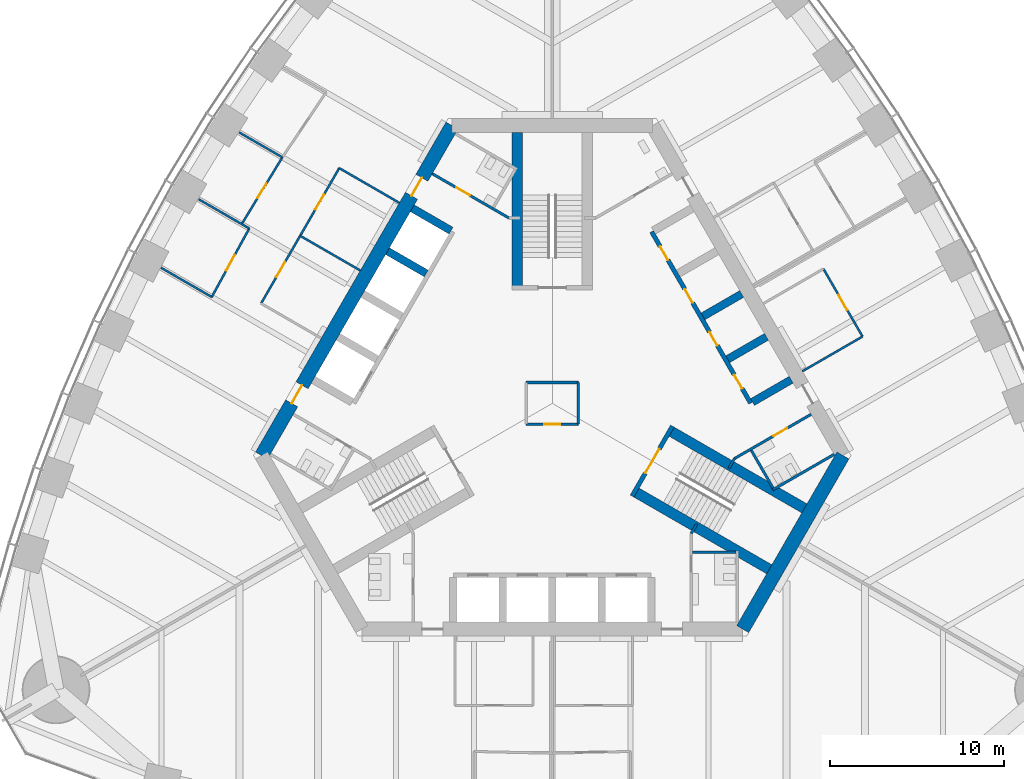
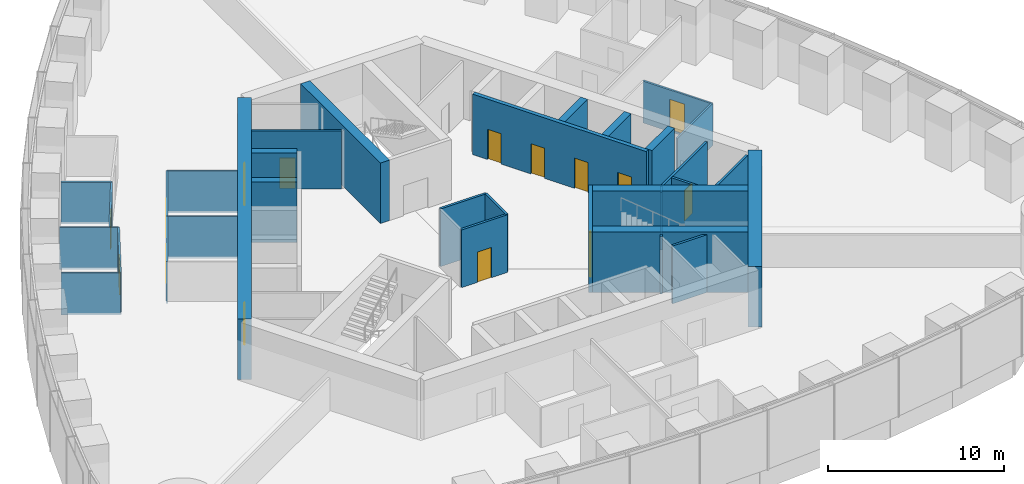
# One storey, part 12 of 18: 33 walls, 15 doors, 15 openings.
"""IFC4 building model written with IfcOpenShell, lengths in metres."""

from ifc_helpers import new_model, si_unit, direction, frame, frame_2d, origin, place, context, subcontext, project, spatial, rectangle, extrude, material, layer, layer_set, type_object, element, fill, save


model = new_model("IFC4")

# Units and contexts
model_context = context("Model", 3, precision=1e-05, world=origin(), true_north=direction((0.0, 1.0)))
body_context = subcontext(model_context, "Body", "Model", "MODEL_VIEW")
ifc_project = project(units=[si_unit("LENGTHUNIT", "METRE"), si_unit("AREAUNIT", "SQUARE_METRE"), si_unit("VOLUMEUNIT", "CUBIC_METRE"), si_unit("PLANEANGLEUNIT", "RADIAN"), si_unit("MASSUNIT", "GRAM", prefix="KILO")], contexts=[model_context])

# Site, building, storey
site_placement = place(None, origin())
site = spatial("IfcSite", under=ifc_project, at=site_placement, CompositionType="ELEMENT")
building_placement = place(site_placement, origin())
building = spatial("IfcBuilding", under=site, at=building_placement, Name="Trefoil Bronze Tower", CompositionType="ELEMENT")
storey_placement = place(building_placement, frame((0.0, 0.0, 202.300048828125)))
storey = spatial("IfcBuildingStorey", under=building, at=storey_placement, Name="L46", CompositionType="ELEMENT", Elevation=202.300048828125)

# Wall
ifc_material_1 = material(Name="Concrete B80", Category="concrete")
ifc_layer_1 = layer(ifc_material_1, 0.800048828125)
ifc_layer_set_1 = layer_set([ifc_layer_1], Name="Core wall 800")
wall_type_1 = type_object("IfcWallType", Name="Core wall 800", PredefinedType="SHEAR", material=ifc_layer_set_1)
wall_1_placement = place(storey_placement, frame((10.9697265625, -13.0, 0.0), z_axis=(0.0, 0.0, 1.0), x_axis=(0.499995765644, 0.866027848477, 0.0)))
element("IfcWall", 1, at=wall_1_placement, inside=storey, type_object=wall_type_1, Name="Core short wall 1 L46", PredefinedType="SHEAR", context=body_context, shape_type="SweptSolid", body=[
    extrude(rectangle(XDim=11.546875, YDim=0.800048828125, at=frame_2d((5.7734375, 0.0))), origin(), (0.0, 0.0, 1.0), 4.199951171875),
])

# Wall, openings, doors
wall_2_placement = place(storey_placement, frame((-5.7734375, 16.0, 0.0), z_axis=(0.0, 0.0, 1.0), x_axis=(-0.500002442456, -0.866023993627, 0.0)))
wall_2 = element("IfcWall", 2, at=wall_2_placement, inside=storey, type_object=wall_type_1, Name="Core long wall 3 L46", PredefinedType="SHEAR", context=body_context, shape_type="SweptSolid", body=[
    extrude(rectangle(XDim=21.939453125, YDim=0.800048828125, at=frame_2d((10.9697265625, 0.0))), origin(), (0.0, 0.0, 1.0), 4.199951171875),
])
opening_1_placement = place(wall_2_placement, frame((17.269775390625, 0.0, 0.0)))
opening_1 = element("IfcOpeningElement", 3, at=opening_1_placement, cuts=wall_2, Name="Opening D2", PredefinedType="OPENING", context=body_context, shape_type="SweptSolid", body=[
    extrude(rectangle(XDim=1.199951171875, YDim=2.10009765625, at=frame_2d((0.60009765625, 1.050048828125))), frame((0.0, 0.409912109375, 0.0), z_axis=(0.0, -1.0, 0.0), x_axis=(1.0, 0.0, 0.0)), (0.0, 0.0, 1.0), 0.820068359375),
])
opening_2_placement = place(wall_2_placement, frame((3.4697265625, 0.0, 0.0)))
opening_2 = element("IfcOpeningElement", 4, at=opening_2_placement, cuts=wall_2, Name="Opening D2", PredefinedType="OPENING", context=body_context, shape_type="SweptSolid", body=[
    extrude(rectangle(XDim=1.199951171875, YDim=2.10009765625, at=frame_2d((0.60009765625, 1.050048828125))), frame((0.0, 0.409912109375, 0.0), z_axis=(0.0, -1.0, 0.0), x_axis=(1.0, 0.0, 0.0)), (0.0, 0.0, 1.0), 0.820068359375),
])
ifc_material_2 = material(Name="Steel door", Category="steel")
door_type_1 = type_object("IfcDoorType", Name="Lobby door 1200", OperationType="SINGLE_SWING_RIGHT", PredefinedType="DOOR", material=ifc_material_2)
door_1_placement = place(opening_1_placement, origin())
door_1 = element("IfcDoor", 5, at=door_1_placement, inside=storey, type_object=door_type_1, Name="Lobby door F3+ L46", OperationType="SINGLE_SWING_RIGHT", OverallHeight=2.10009765625, OverallWidth=1.199951171875, PredefinedType="DOOR", context=body_context, shape_type="SweptSolid", body=[
    extrude(rectangle(XDim=1.199951171875, YDim=2.10009765625, at=frame_2d((0.60009765625, 1.050048828125))), frame((0.0, 0.02490234375, 0.0), z_axis=(0.0, -1.0, 0.0), x_axis=(1.0, 0.0, 0.0)), (0.0, 0.0, 1.0), 0.050048828125),
])
fill(opening_1, door_1)
door_2_placement = place(opening_2_placement, origin())
door_2 = element("IfcDoor", 6, at=door_2_placement, inside=storey, type_object=door_type_1, Name="Lobby door F3- L46", OperationType="SINGLE_SWING_LEFT", OverallHeight=2.10009765625, OverallWidth=1.199951171875, PredefinedType="DOOR", context=body_context, shape_type="SweptSolid", body=[
    extrude(rectangle(XDim=1.199951171875, YDim=2.10009765625, at=frame_2d((0.60009765625, 1.050048828125))), frame((0.0, 0.02490234375, 0.0), z_axis=(0.0, -1.0, 0.0), x_axis=(1.0, 0.0, 0.0)), (0.0, 0.0, 1.0), 0.050048828125),
])
fill(opening_2, door_2)

# Wall, opening, door
ifc_material_3 = material(Name="Glazed partition", Category="glass")
ifc_layer_2 = layer(ifc_material_3, 0.1201171875)
ifc_layer_set_2 = layer_set([ifc_layer_2], Name="Glazed partition 120")
wall_type_2 = type_object("IfcWallType", Name="Glazed partition 120", PredefinedType="PARTITIONING", material=ifc_layer_set_2)
wall_3_placement = place(storey_placement, frame((17.868896484375, 3.850341796875, 0.0), z_axis=(0.0, 0.0, 1.0), x_axis=(-0.500013631625, 0.866017533419, 0.0)))
wall_3 = element("IfcWall", 7, at=wall_3_placement, inside=storey, type_object=wall_type_2, Name="Partition F2 L46", PredefinedType="PARTITIONING", context=body_context, shape_type="SweptSolid", body=[
    extrude(rectangle(XDim=4.499755859375, YDim=0.1201171875, at=frame_2d((2.25, 0.0))), origin(), (0.0, 0.0, 1.0), 2.89990234375),
])
opening_3_placement = place(wall_3_placement, frame((1.75, 0.0, 0.14990234375)))
opening_3 = element("IfcOpeningElement", 8, at=opening_3_placement, cuts=wall_3, Name="Opening D9", PredefinedType="OPENING", context=body_context, shape_type="SweptSolid", body=[
    extrude(rectangle(XDim=1.0, YDim=2.10009765625, at=frame_2d((0.5, 1.050048828125))), frame((0.0, 0.070068359375, 0.0), z_axis=(0.0, -1.0, 0.0), x_axis=(1.0, 0.0, 0.0)), (0.0, 0.0, 1.0), 0.14013671875),
])
ifc_material_4 = material(Name="Glazed timber door", Category="wood")
door_type_2 = type_object("IfcDoorType", Name="Meeting room door 1000", OperationType="SINGLE_SWING_LEFT", PredefinedType="DOOR", material=ifc_material_4)
door_3_placement = place(opening_3_placement, origin())
door_3 = element("IfcDoor", 9, at=door_3_placement, inside=storey, type_object=door_type_2, Name="Project room door F2 L46", OperationType="SINGLE_SWING_RIGHT", OverallHeight=2.10009765625, OverallWidth=1.0, PredefinedType="DOOR", context=body_context, shape_type="SweptSolid", body=[
    extrude(rectangle(XDim=1.0, YDim=2.10009765625, at=frame_2d((0.5, 1.050048828125))), frame((0.0, 0.02490234375, 0.0), z_axis=(0.0, -1.0, 0.0), x_axis=(1.0, 0.0, 0.0)), (0.0, 0.0, 1.0), 0.050048828125),
])
fill(opening_3, door_3)

# Wall
wall_4_placement = place(storey_placement, frame((14.40478515625, 1.850341796875, 0.0), z_axis=(0.0, 0.0, 1.0), x_axis=(0.866026010844, 0.49999894854, 0.0)))
element("IfcWall", 10, at=wall_4_placement, inside=storey, type_object=wall_type_2, Name="Partition F2 L46", PredefinedType="PARTITIONING", context=body_context, shape_type="SweptSolid", body=[
    extrude(rectangle(XDim=4.0, YDim=0.1201171875, at=frame_2d((2.0, 0.0))), origin(), (0.0, 0.0, 1.0), 2.89990234375),
])

# Wall, opening, door
wall_5_placement = place(storey_placement, frame((-14.518798828125, 9.652587890625, 0.0), z_axis=(0.0, 0.0, 1.0), x_axis=(-0.500013631625, -0.866017533419, 0.0)))
wall_5 = element("IfcWall", 11, at=wall_5_placement, inside=storey, type_object=wall_type_2, Name="Partition F3 L46", PredefinedType="PARTITIONING", context=body_context, shape_type="SweptSolid", body=[
    extrude(rectangle(XDim=4.499755859375, YDim=0.1201171875, at=frame_2d((2.25, 0.0))), origin(), (0.0, 0.0, 1.0), 2.89990234375),
])
opening_4_placement = place(wall_5_placement, frame((1.75, 0.0, 0.14990234375)))
opening_4 = element("IfcOpeningElement", 12, at=opening_4_placement, cuts=wall_5, Name="Opening D9", PredefinedType="OPENING", context=body_context, shape_type="SweptSolid", body=[
    extrude(rectangle(XDim=1.0, YDim=2.10009765625, at=frame_2d((0.5, 1.050048828125))), frame((0.0, 0.070068359375, 0.0), z_axis=(0.0, -1.0, 0.0), x_axis=(1.0, 0.0, 0.0)), (0.0, 0.0, 1.0), 0.14013671875),
])
door_4_placement = place(opening_4_placement, origin())
door_4 = element("IfcDoor", 13, at=door_4_placement, inside=storey, type_object=door_type_2, Name="Project room door F3 L46", OperationType="SINGLE_SWING_RIGHT", OverallHeight=2.10009765625, OverallWidth=1.0, PredefinedType="DOOR", context=body_context, shape_type="SweptSolid", body=[
    extrude(rectangle(XDim=1.0, YDim=2.10009765625, at=frame_2d((0.5, 1.050048828125))), frame((0.0, 0.02490234375, 0.0), z_axis=(0.0, -1.0, 0.0), x_axis=(1.0, 0.0, 0.0)), (0.0, 0.0, 1.0), 0.050048828125),
])
fill(opening_4, door_4)

wall_6_placement = place(storey_placement, frame((-12.268798828125, 13.5498046875, 0.0), z_axis=(0.0, 0.0, 1.0), x_axis=(-0.499990139034, -0.866031096941, 0.0)))
wall_6 = element("IfcWall", 14, at=wall_6_placement, inside=storey, type_object=wall_type_2, Name="Partition F3 L46", PredefinedType="PARTITIONING", context=body_context, shape_type="SweptSolid", body=[
    extrude(rectangle(XDim=4.5, YDim=0.1201171875, at=frame_2d((2.25, 0.0))), origin(), (0.0, 0.0, 1.0), 2.89990234375),
])
opening_5_placement = place(wall_6_placement, frame((1.75, 0.0, 0.14990234375)))
opening_5 = element("IfcOpeningElement", 15, at=opening_5_placement, cuts=wall_6, Name="Opening D9", PredefinedType="OPENING", context=body_context, shape_type="SweptSolid", body=[
    extrude(rectangle(XDim=1.0, YDim=2.10009765625, at=frame_2d((0.5, 1.050048828125))), frame((0.0, 0.070068359375, 0.0), z_axis=(0.0, -1.0, 0.0), x_axis=(1.0, 0.0, 0.0)), (0.0, 0.0, 1.0), 0.14013671875),
])
door_5_placement = place(opening_5_placement, origin())
door_5 = element("IfcDoor", 16, at=door_5_placement, inside=storey, type_object=door_type_2, Name="Project room door F3 L46", OperationType="SINGLE_SWING_RIGHT", OverallHeight=2.10009765625, OverallWidth=1.0, PredefinedType="DOOR", context=body_context, shape_type="SweptSolid", body=[
    extrude(rectangle(XDim=1.0, YDim=2.10009765625, at=frame_2d((0.5, 1.050048828125))), frame((0.0, 0.02490234375, 0.0), z_axis=(0.0, -1.0, 0.0), x_axis=(1.0, 0.0, 0.0)), (0.0, 0.0, 1.0), 0.050048828125),
])
fill(opening_5, door_5)

# Walls
for number, where, z_axis, x_axis, name in (
    (17, (-11.0546875, 7.652587890625, 0.0), (0.0, 0.0, 1.0), (-0.866026010844, 0.49999894854, 0.0), "Partition F3 L46"),
    (18, (-8.8046875, 11.5498046875, 0.0), (0.0, 0.0, 1.0), (-0.866026010844, 0.49999894854, 0.0), "Partition F3 L46"),
):
    element("IfcWall", number, at=place(storey_placement, frame(where, z_axis=z_axis, x_axis=x_axis)), inside=storey, type_object=wall_type_2, Name=name, PredefinedType="PARTITIONING", context=body_context, shape_type="SweptSolid", body=[
        extrude(rectangle(XDim=4.0, YDim=0.1201171875, at=frame_2d((2.0, 0.0))), origin(), (0.0, 0.0, 1.0), 2.89990234375),
    ])

# Wall, opening, door
wall_7_placement = place(storey_placement, frame((-17.450927734375, 10.075439453125, 0.0), z_axis=(0.0, 0.0, 1.0), x_axis=(-0.479949984371, -0.877295852322, 0.0)))
wall_7 = element("IfcWall", 19, at=wall_7_placement, inside=storey, type_object=wall_type_2, Name="Partition F3 L46", PredefinedType="PARTITIONING", context=body_context, shape_type="SweptSolid", body=[
    extrude(rectangle(XDim=4.501220703125, YDim=0.1201171875, at=frame_2d((2.25048828125, 0.0))), origin(), (0.0, 0.0, 1.0), 2.89990234375),
])
opening_6_placement = place(wall_7_placement, frame((1.75, 0.0, 0.14990234375)))
opening_6 = element("IfcOpeningElement", 20, at=opening_6_placement, cuts=wall_7, Name="Opening D9", PredefinedType="OPENING", context=body_context, shape_type="SweptSolid", body=[
    extrude(rectangle(XDim=1.0, YDim=2.10009765625, at=frame_2d((0.5, 1.050048828125))), frame((0.0, 0.070068359375, 0.0), z_axis=(0.0, -1.0, 0.0), x_axis=(1.0, 0.0, 0.0)), (0.0, 0.0, 1.0), 0.14013671875),
])
door_6_placement = place(opening_6_placement, frame((1.0, 0.0, 0.0), z_axis=(0.0, 0.0, 1.0), x_axis=(-1.0, 0.0, 0.0)))
door_6 = element("IfcDoor", 21, at=door_6_placement, inside=storey, type_object=door_type_2, Name="Meeting room door F3 L46", OperationType="SINGLE_SWING_RIGHT", OverallHeight=2.10009765625, OverallWidth=1.0, PredefinedType="DOOR", context=body_context, shape_type="SweptSolid", body=[
    extrude(rectangle(XDim=1.0, YDim=2.10009765625, at=frame_2d((0.5, 1.050048828125))), frame((0.0, 0.02490234375, 0.0), z_axis=(0.0, -1.0, 0.0), x_axis=(1.0, 0.0, 0.0)), (0.0, 0.0, 1.0), 0.050048828125),
])
fill(opening_6, door_6)

wall_8_placement = place(storey_placement, frame((-15.54443359375, 14.170654296875, 0.0), z_axis=(0.0, 0.0, 1.0), x_axis=(-0.519790350351, -0.85429385558, 0.0)))
wall_8 = element("IfcWall", 22, at=wall_8_placement, inside=storey, type_object=wall_type_2, Name="Partition F3 L46", PredefinedType="PARTITIONING", context=body_context, shape_type="SweptSolid", body=[
    extrude(rectangle(XDim=4.5009765625, YDim=0.1201171875, at=frame_2d((2.25048828125, 0.0))), origin(), (0.0, 0.0, 1.0), 2.89990234375),
])
opening_7_placement = place(wall_8_placement, frame((1.75, 0.0, 0.14990234375)))
opening_7 = element("IfcOpeningElement", 23, at=opening_7_placement, cuts=wall_8, Name="Opening D9", PredefinedType="OPENING", context=body_context, shape_type="SweptSolid", body=[
    extrude(rectangle(XDim=1.0, YDim=2.10009765625, at=frame_2d((0.5, 1.050048828125))), frame((0.0, 0.070068359375, 0.0), z_axis=(0.0, -1.0, 0.0), x_axis=(1.0, 0.0, 0.0)), (0.0, 0.0, 1.0), 0.14013671875),
])
door_7_placement = place(opening_7_placement, frame((1.0, 0.0, 0.0), z_axis=(0.0, 0.0, 1.0), x_axis=(-1.0, 0.0, 0.0)))
door_7 = element("IfcDoor", 24, at=door_7_placement, inside=storey, type_object=door_type_2, Name="Project room door F3 L46", OperationType="SINGLE_SWING_RIGHT", OverallHeight=2.10009765625, OverallWidth=1.0, PredefinedType="DOOR", context=body_context, shape_type="SweptSolid", body=[
    extrude(rectangle(XDim=1.0, YDim=2.10009765625, at=frame_2d((0.5, 1.050048828125))), frame((0.0, 0.02490234375, 0.0), z_axis=(0.0, -1.0, 0.0), x_axis=(1.0, 0.0, 0.0)), (0.0, 0.0, 1.0), 0.050048828125),
])
fill(opening_7, door_7)

# Walls
wall_9_placement = place(storey_placement, frame((-17.450927734375, 10.075439453125, 0.0), z_axis=(0.0, 0.0, 1.0), x_axis=(-0.866045641059, 0.499964946374, 0.0)))
element("IfcWall", 25, at=wall_9_placement, inside=storey, type_object=wall_type_2, Name="Partition F3 L46", PredefinedType="PARTITIONING", context=body_context, shape_type="SweptSolid", body=[
    extrude(rectangle(XDim=3.369873046875, YDim=0.1201171875, at=frame_2d((1.68505859375, 0.0))), origin(), (0.0, 0.0, 1.0), 2.89990234375),
])
wall_10_placement = place(storey_placement, frame((-19.611328125, 6.12646484375, 0.0), z_axis=(0.0, 0.0, 1.0), x_axis=(-0.866031085144, 0.499990159468, 0.0)))
element("IfcWall", 26, at=wall_10_placement, inside=storey, type_object=wall_type_2, Name="Partition F3 L46", PredefinedType="PARTITIONING", context=body_context, shape_type="SweptSolid", body=[
    extrude(rectangle(XDim=3.3681640625, YDim=0.1201171875, at=frame_2d((1.68408203125, 0.0))), origin(), (0.0, 0.0, 1.0), 2.89990234375),
])
wall_11_placement = place(storey_placement, frame((-15.54443359375, 14.170654296875, 0.0), z_axis=(0.0, 0.0, 1.0), x_axis=(-0.865987130335, 0.500066285701, 0.0)))
element("IfcWall", 27, at=wall_11_placement, inside=storey, type_object=wall_type_2, Name="Partition F3 L46", PredefinedType="PARTITIONING", context=body_context, shape_type="SweptSolid", body=[
    extrude(rectangle(XDim=2.8681640625, YDim=0.1201171875, at=frame_2d((1.43408203125, 0.0))), origin(), (0.0, 0.0, 1.0), 2.89990234375),
])
ifc_material_5 = material(Name="Concrete B80", Category="concrete")
ifc_layer_3 = layer(ifc_material_5, 0.449951171875)
ifc_layer_set_3 = layer_set([ifc_layer_3], Name="Outrigger shaft wall 450")
wall_type_3 = type_object("IfcWallType", Name="Outrigger shaft wall 450", PredefinedType="SHEAR", material=ifc_layer_set_3)
for number, where, z_axis, x_axis, name in (
    (28, (11.531982421875, 0.076171875, 0.0), (0.0, 0.0, 1.0), (0.866005588531, 0.500034319456, 0.0), "Lift shaft side wall B0 L46"),
    (29, (10.10693359375, 2.54443359375, 0.0), (0.0, 0.0, 1.0), (0.866046643894, 0.499963209246, 0.0), "Lift shaft side wall B1 L46"),
    (30, (8.681884765625, 5.012451171875, 0.0), (0.0, 0.0, 1.0), (0.866005588531, 0.500034319456, 0.0), "Lift shaft side wall B2 L46"),
):
    element("IfcWall", number, at=place(storey_placement, frame(where, z_axis=z_axis, x_axis=x_axis)), inside=storey, type_object=wall_type_3, Name=name, PredefinedType="SHEAR", context=body_context, shape_type="SweptSolid", body=[
        extrude(rectangle(XDim=2.574951171875, YDim=0.449951171875, at=frame_2d((1.28759765625, 0.0))), origin(), (0.0, 0.0, 1.0), 4.199951171875),
    ])
wall_12_placement = place(storey_placement, frame((-5.831787109375, 9.94873046875, 0.0), z_axis=(0.0, 0.0, 1.0), x_axis=(-0.866029291668, 0.499993265928, 0.0)))
element("IfcWall", 31, at=wall_12_placement, inside=storey, type_object=wall_type_3, Name="Lift shaft side wall C0 L46", PredefinedType="SHEAR", context=body_context, shape_type="SweptSolid", body=[
    extrude(rectangle(XDim=2.5751953125, YDim=0.449951171875, at=frame_2d((1.28759765625, 0.0))), origin(), (0.0, 0.0, 1.0), 4.199951171875),
])
wall_13_placement = place(storey_placement, frame((-7.2568359375, 7.480712890625, 0.0), z_axis=(0.0, 0.0, 1.0), x_axis=(-0.866046643894, 0.499963209246, 0.0)))
element("IfcWall", 32, at=wall_13_placement, inside=storey, type_object=wall_type_3, Name="Lift shaft side wall C1 L46", PredefinedType="SHEAR", context=body_context, shape_type="SweptSolid", body=[
    extrude(rectangle(XDim=2.574951171875, YDim=0.449951171875, at=frame_2d((1.28759765625, 0.0))), origin(), (0.0, 0.0, 1.0), 4.199951171875),
])

# Wall, opening, door
ifc_material_6 = material(Name="Gypsum board on steel studs", Category="steel")
ifc_layer_4 = layer(ifc_material_6, 0.14990234375)
ifc_layer_set_4 = layer_set([ifc_layer_4], Name="Partition 150")
wall_type_4 = type_object("IfcWallType", Name="Partition 150", PredefinedType="PARTITIONING", material=ifc_layer_set_4)
wall_14_placement = place(storey_placement, frame((10.4951171875, -3.17822265625, 0.0), z_axis=(0.0, 0.0, 1.0), x_axis=(0.86602216432, 0.500005610874, 0.0)))
wall_14 = element("IfcWall", 33, at=wall_14_placement, inside=storey, type_object=wall_type_4, Name="Passage wall F2- L46", PredefinedType="PARTITIONING", context=body_context, shape_type="SweptSolid", body=[
    extrude(rectangle(XDim=5.10009765625, YDim=0.14990234375, at=frame_2d((2.550048828125, 0.0))), origin(), (0.0, 0.0, 1.0), 4.0),
])
opening_8_placement = place(wall_14_placement, frame((2.60009765625, 0.0, 0.0)))
opening_8 = element("IfcOpeningElement", 34, at=opening_8_placement, cuts=wall_14, Name="Opening D3", PredefinedType="OPENING", context=body_context, shape_type="SweptSolid", body=[
    extrude(rectangle(XDim=0.89990234375, YDim=2.10009765625, at=frame_2d((0.449951171875, 1.050048828125))), frame((0.0, 0.0849609375, 0.0), z_axis=(0.0, -1.0, 0.0), x_axis=(1.0, 0.0, 0.0)), (0.0, 0.0, 1.0), 0.169921875),
])
ifc_material_7 = material(Name="Timber door", Category="wood")
door_type_3 = type_object("IfcDoorType", Name="WC door 900", OperationType="SINGLE_SWING_LEFT", PredefinedType="DOOR", material=ifc_material_7)
door_8_placement = place(opening_8_placement, frame((0.89990234375, 0.0, 0.0), z_axis=(0.0, 0.0, 1.0), x_axis=(-1.0, 0.0, 0.0)))
door_8 = element("IfcDoor", 35, at=door_8_placement, inside=storey, type_object=door_type_3, Name="WC (women) door L46", OperationType="SINGLE_SWING_RIGHT", OverallHeight=2.10009765625, OverallWidth=0.89990234375, PredefinedType="DOOR", context=body_context, shape_type="SweptSolid", body=[
    extrude(rectangle(XDim=0.89990234375, YDim=2.10009765625, at=frame_2d((0.449951171875, 1.050048828125))), frame((0.0, 0.02490234375, 0.0), z_axis=(0.0, -1.0, 0.0), x_axis=(1.0, 0.0, 0.0)), (0.0, 0.0, 1.0), 0.050048828125),
])
fill(opening_8, door_8)

wall_15_placement = place(storey_placement, frame((-2.4951171875, 10.67822265625, 0.0), z_axis=(0.0, 0.0, 1.0), x_axis=(-0.86602216432, 0.500005610874, 0.0)))
wall_15 = element("IfcWall", 36, at=wall_15_placement, inside=storey, type_object=wall_type_4, Name="Passage wall F3- L46", PredefinedType="PARTITIONING", context=body_context, shape_type="SweptSolid", body=[
    extrude(rectangle(XDim=5.10009765625, YDim=0.14990234375, at=frame_2d((2.550048828125, 0.0))), origin(), (0.0, 0.0, 1.0), 4.0),
])
opening_9_placement = place(wall_15_placement, frame((2.60009765625, 0.0, 0.0)))
opening_9 = element("IfcOpeningElement", 37, at=opening_9_placement, cuts=wall_15, Name="Opening D3", PredefinedType="OPENING", context=body_context, shape_type="SweptSolid", body=[
    extrude(rectangle(XDim=0.89990234375, YDim=2.10009765625, at=frame_2d((0.449951171875, 1.050048828125))), frame((0.0, 0.0849609375, 0.0), z_axis=(0.0, -1.0, 0.0), x_axis=(1.0, 0.0, 0.0)), (0.0, 0.0, 1.0), 0.169921875),
])
door_9_placement = place(opening_9_placement, frame((0.89990234375, 0.0, 0.0), z_axis=(0.0, 0.0, 1.0), x_axis=(-1.0, 0.0, 0.0)))
door_9 = element("IfcDoor", 38, at=door_9_placement, inside=storey, type_object=door_type_3, Name="WC (women) door L46", OperationType="SINGLE_SWING_RIGHT", OverallHeight=2.10009765625, OverallWidth=0.89990234375, PredefinedType="DOOR", context=body_context, shape_type="SweptSolid", body=[
    extrude(rectangle(XDim=0.89990234375, YDim=2.10009765625, at=frame_2d((0.449951171875, 1.050048828125))), frame((0.0, 0.02490234375, 0.0), z_axis=(0.0, -1.0, 0.0), x_axis=(1.0, 0.0, 0.0)), (0.0, 0.0, 1.0), 0.050048828125),
])
fill(opening_9, door_9)

# Walls
for number, where, z_axis, x_axis, name in (
    (39, (8.0, -7.5, 0.0), (0.0, 0.0, 1.0), (0.499842556608, 0.866116284689, 0.0), "WC wall ST1-1 L46"),
    (40, (10.4951171875, -3.17822265625, 0.0), (0.0, 0.0, 1.0), (-0.499842556608, -0.866116284689, 0.0), "WC wall ST1+1 L46"),
):
    element("IfcWall", number, at=place(storey_placement, frame(where, z_axis=z_axis, x_axis=x_axis)), inside=storey, type_object=wall_type_4, Name=name, PredefinedType="PARTITIONING", context=body_context, shape_type="SweptSolid", body=[
        extrude(rectangle(XDim=0.645263671875, YDim=0.14990234375, at=frame_2d((0.32275390625, 0.0))), origin(), (0.0, 0.0, 1.0), 4.0),
    ])
wall_16_placement = place(storey_placement, frame((8.074951171875, -8.574951171875, 0.0), z_axis=(0.0, 0.0, 1.0), x_axis=(1.0, 0.0, 0.0)))
element("IfcWall", 41, at=wall_16_placement, inside=storey, type_object=wall_type_4, Name="WC partition WC (men) L46", PredefinedType="PARTITIONING", context=body_context, shape_type="SweptSolid", body=[
    extrude(rectangle(XDim=2.510009765625, YDim=0.14990234375, at=frame_2d((1.2548828125, 0.0))), origin(), (0.0, 0.0, 1.0), 4.0),
])
wall_17_placement = place(storey_placement, frame((12.691162109375, -4.98193359375, 0.0), z_axis=(0.0, 0.0, 1.0), x_axis=(0.8660249478, 0.500000789788, 0.0)))
element("IfcWall", 42, at=wall_17_placement, inside=storey, type_object=wall_type_4, Name="WC partition WC (women) L46", PredefinedType="PARTITIONING", context=body_context, shape_type="SweptSolid", body=[
    extrude(rectangle(XDim=4.10009765625, YDim=0.14990234375, at=frame_2d((2.050048828125, 0.0))), origin(), (0.0, 0.0, 1.0), 4.0),
])
wall_18_placement = place(storey_placement, frame((11.463623046875, -2.70556640625, 0.0), z_axis=(0.0, 0.0, 1.0), x_axis=(0.50001992892, -0.866013897511, 0.0)))
element("IfcWall", 43, at=wall_18_placement, inside=storey, type_object=wall_type_4, Name="WC partition WC (women) L46", PredefinedType="PARTITIONING", context=body_context, shape_type="SweptSolid", body=[
    extrude(rectangle(XDim=2.51025390625, YDim=0.14990234375, at=frame_2d((1.255126953125, 0.0))), origin(), (0.0, 0.0, 1.0), 4.0),
])

# Wall, opening, door
ifc_material_8 = material(Name="Gypsum board on steel studs", Category="steel")
ifc_layer_5 = layer(ifc_material_8, 0.14990234375)
ifc_layer_set_5 = layer_set([ifc_layer_5], Name="Riser wall 150")
wall_type_5 = type_object("IfcWallType", Name="Riser wall 150", PredefinedType="PARTITIONING", material=ifc_layer_set_5)
wall_19_placement = place(storey_placement, frame((-1.5, -1.199951171875, 0.0), z_axis=(0.0, 0.0, 1.0), x_axis=(1.0, 0.0, 0.0)))
wall_19 = element("IfcWall", 44, at=wall_19_placement, inside=storey, type_object=wall_type_5, Name="Riser wall L46", PredefinedType="PARTITIONING", context=body_context, shape_type="SweptSolid", body=[
    extrude(rectangle(XDim=3.0, YDim=0.14990234375, at=frame_2d((1.5, 0.0))), origin(), (0.0, 0.0, 1.0), 4.0),
])
opening_10_placement = place(wall_19_placement, frame((1.050048828125, 0.0, 0.0)))
opening_10 = element("IfcOpeningElement", 45, at=opening_10_placement, cuts=wall_19, Name="Opening D4", PredefinedType="OPENING", context=body_context, shape_type="SweptSolid", body=[
    extrude(rectangle(XDim=0.89990234375, YDim=2.10009765625, at=frame_2d((0.449951171875, 1.050048828125))), frame((0.0, 0.0849609375, 0.0), z_axis=(0.0, -1.0, 0.0), x_axis=(1.0, 0.0, 0.0)), (0.0, 0.0, 1.0), 0.169921875),
])
ifc_material_9 = material(Name="Steel door", Category="steel")
door_type_4 = type_object("IfcDoorType", Name="Riser door 900", OperationType="SINGLE_SWING_LEFT", PredefinedType="DOOR", material=ifc_material_9)
door_10_placement = place(opening_10_placement, frame((0.89990234375, 0.0, 0.0), z_axis=(0.0, 0.0, 1.0), x_axis=(-1.0, 0.0, 0.0)))
door_10 = element("IfcDoor", 46, at=door_10_placement, inside=storey, type_object=door_type_4, Name="Riser door L46", OperationType="SINGLE_SWING_LEFT", OverallHeight=2.10009765625, OverallWidth=0.89990234375, PredefinedType="DOOR", context=body_context, shape_type="SweptSolid", body=[
    extrude(rectangle(XDim=0.89990234375, YDim=2.10009765625, at=frame_2d((0.449951171875, 1.050048828125))), frame((0.0, 0.02490234375, 0.0), z_axis=(0.0, -1.0, 0.0), x_axis=(1.0, 0.0, 0.0)), (0.0, 0.0, 1.0), 0.050048828125),
])
fill(opening_10, door_10)

# Walls
wall_20_placement = place(storey_placement, frame((1.5, -1.199951171875, 0.0), z_axis=(0.0, 0.0, 1.0), x_axis=(0.0, 1.0, 0.0)))
element("IfcWall", 47, at=wall_20_placement, inside=storey, type_object=wall_type_5, Name="Riser wall L46", PredefinedType="PARTITIONING", context=body_context, shape_type="SweptSolid", body=[
    extrude(rectangle(XDim=2.39990234375, YDim=0.14990234375, at=frame_2d((1.199951171875, 0.0))), origin(), (0.0, 0.0, 1.0), 4.0),
])
wall_21_placement = place(storey_placement, frame((1.5, 1.199951171875, 0.0), z_axis=(0.0, 0.0, 1.0), x_axis=(-1.0, 0.0, 0.0)))
element("IfcWall", 48, at=wall_21_placement, inside=storey, type_object=wall_type_5, Name="Riser wall L46", PredefinedType="PARTITIONING", context=body_context, shape_type="SweptSolid", body=[
    extrude(rectangle(XDim=3.0, YDim=0.14990234375, at=frame_2d((1.5, 0.0))), origin(), (0.0, 0.0, 1.0), 4.0),
])

# Wall, openings, doors
ifc_material_10 = material(Name="Concrete B80", Category="concrete")
ifc_layer_6 = layer(ifc_material_10, 0.25)
ifc_layer_set_6 = layer_set([ifc_layer_6], Name="Shaft wall 250")
wall_type_6 = type_object("IfcWallType", Name="Shaft wall 250", PredefinedType="SHEAR", material=ifc_layer_set_6)
wall_22_placement = place(storey_placement, frame((11.423583984375, 0.013671875, 0.0), z_axis=(0.0, 0.0, 1.0), x_axis=(-0.500001763848, 0.866024385424, 0.0)))
wall_22 = element("IfcWall", 49, at=wall_22_placement, inside=storey, type_object=wall_type_6, Name="Lift shaft front wall B L46", PredefinedType="SHEAR", context=body_context, shape_type="SweptSolid", body=[
    extrude(rectangle(XDim=11.39990234375, YDim=0.25, at=frame_2d((5.699951171875, 0.0))), origin(), (0.0, 0.0, 1.0), 4.199951171875),
])
opening_11_placement = place(wall_22_placement, frame((0.97509765625, 0.0, 0.0)))
opening_11 = element("IfcOpeningElement", 50, at=opening_11_placement, cuts=wall_22, Name="Opening D12", PredefinedType="OPENING", context=body_context, shape_type="SweptSolid", body=[
    extrude(rectangle(XDim=0.89990234375, YDim=2.10009765625, at=frame_2d((0.449951171875, 1.050048828125))), frame((0.0, 0.135009765625, 0.0), z_axis=(0.0, -1.0, 0.0), x_axis=(1.0, 0.0, 0.0)), (0.0, 0.0, 1.0), 0.27001953125),
])
opening_12_placement = place(wall_22_placement, frame((3.824951171875, 0.0, 0.0)))
opening_12 = element("IfcOpeningElement", 51, at=opening_12_placement, cuts=wall_22, Name="Opening D12", PredefinedType="OPENING", context=body_context, shape_type="SweptSolid", body=[
    extrude(rectangle(XDim=0.89990234375, YDim=2.10009765625, at=frame_2d((0.449951171875, 1.050048828125))), frame((0.0, 0.135009765625, 0.0), z_axis=(0.0, -1.0, 0.0), x_axis=(1.0, 0.0, 0.0)), (0.0, 0.0, 1.0), 0.27001953125),
])
opening_13_placement = place(wall_22_placement, frame((6.675048828125, 0.0, 0.0)))
opening_13 = element("IfcOpeningElement", 52, at=opening_13_placement, cuts=wall_22, Name="Opening D12", PredefinedType="OPENING", context=body_context, shape_type="SweptSolid", body=[
    extrude(rectangle(XDim=0.89990234375, YDim=2.10009765625, at=frame_2d((0.449951171875, 1.050048828125))), frame((0.0, 0.135009765625, 0.0), z_axis=(0.0, -1.0, 0.0), x_axis=(1.0, 0.0, 0.0)), (0.0, 0.0, 1.0), 0.27001953125),
])
opening_14_placement = place(wall_22_placement, frame((9.52490234375, 0.0, 0.0)))
opening_14 = element("IfcOpeningElement", 53, at=opening_14_placement, cuts=wall_22, Name="Opening D12", PredefinedType="OPENING", context=body_context, shape_type="SweptSolid", body=[
    extrude(rectangle(XDim=0.89990234375, YDim=2.10009765625, at=frame_2d((0.449951171875, 1.050048828125))), frame((0.0, 0.135009765625, 0.0), z_axis=(0.0, -1.0, 0.0), x_axis=(1.0, 0.0, 0.0)), (0.0, 0.0, 1.0), 0.27001953125),
])
ifc_material_11 = material(Name="Steel door", Category="steel")
door_type_5 = type_object("IfcDoorType", Name="Shaft room door 900", OperationType="SINGLE_SWING_LEFT", PredefinedType="DOOR", material=ifc_material_11)
door_11_placement = place(opening_11_placement, frame((0.89990234375, 0.0, 0.0), z_axis=(0.0, 0.0, 1.0), x_axis=(-1.0, 0.0, 0.0)))
door_11 = element("IfcDoor", 54, at=door_11_placement, inside=storey, type_object=door_type_5, Name="Shaft room door B1 L46", OperationType="SINGLE_SWING_LEFT", OverallHeight=2.10009765625, OverallWidth=0.89990234375, PredefinedType="DOOR", context=body_context, shape_type="SweptSolid", body=[
    extrude(rectangle(XDim=0.89990234375, YDim=2.10009765625, at=frame_2d((0.449951171875, 1.050048828125))), frame((0.0, 0.02490234375, 0.0), z_axis=(0.0, -1.0, 0.0), x_axis=(1.0, 0.0, 0.0)), (0.0, 0.0, 1.0), 0.050048828125),
])
fill(opening_11, door_11)
door_12_placement = place(opening_12_placement, frame((0.89990234375, 0.0, 0.0), z_axis=(0.0, 0.0, 1.0), x_axis=(-1.0, 0.0, 0.0)))
door_12 = element("IfcDoor", 55, at=door_12_placement, inside=storey, type_object=door_type_5, Name="Shaft room door B2 L46", OperationType="SINGLE_SWING_RIGHT", OverallHeight=2.10009765625, OverallWidth=0.89990234375, PredefinedType="DOOR", context=body_context, shape_type="SweptSolid", body=[
    extrude(rectangle(XDim=0.89990234375, YDim=2.10009765625, at=frame_2d((0.449951171875, 1.050048828125))), frame((0.0, 0.02490234375, 0.0), z_axis=(0.0, -1.0, 0.0), x_axis=(1.0, 0.0, 0.0)), (0.0, 0.0, 1.0), 0.050048828125),
])
fill(opening_12, door_12)
door_13_placement = place(opening_13_placement, frame((0.89990234375, 0.0, 0.0), z_axis=(0.0, 0.0, 1.0), x_axis=(-1.0, 0.0, 0.0)))
door_13 = element("IfcDoor", 56, at=door_13_placement, inside=storey, type_object=door_type_5, Name="Shaft room door B3 L46", OperationType="SINGLE_SWING_RIGHT", OverallHeight=2.10009765625, OverallWidth=0.89990234375, PredefinedType="DOOR", context=body_context, shape_type="SweptSolid", body=[
    extrude(rectangle(XDim=0.89990234375, YDim=2.10009765625, at=frame_2d((0.449951171875, 1.050048828125))), frame((0.0, 0.02490234375, 0.0), z_axis=(0.0, -1.0, 0.0), x_axis=(1.0, 0.0, 0.0)), (0.0, 0.0, 1.0), 0.050048828125),
])
fill(opening_13, door_13)
door_14_placement = place(opening_14_placement, frame((0.89990234375, 0.0, 0.0), z_axis=(0.0, 0.0, 1.0), x_axis=(-1.0, 0.0, 0.0)))
door_14 = element("IfcDoor", 57, at=door_14_placement, inside=storey, type_object=door_type_5, Name="Shaft room door B4 L46", OperationType="SINGLE_SWING_RIGHT", OverallHeight=2.10009765625, OverallWidth=0.89990234375, PredefinedType="DOOR", context=body_context, shape_type="SweptSolid", body=[
    extrude(rectangle(XDim=0.89990234375, YDim=2.10009765625, at=frame_2d((0.449951171875, 1.050048828125))), frame((0.0, 0.02490234375, 0.0), z_axis=(0.0, -1.0, 0.0), x_axis=(1.0, 0.0, 0.0)), (0.0, 0.0, 1.0), 0.050048828125),
])
fill(opening_14, door_14)

# Wall, opening, door
wall_23_placement = place(storey_placement, frame((4.5966796875, -5.338623046875, 0.0), z_axis=(0.0, 0.0, 1.0), x_axis=(0.499984536904, 0.866034331223, 0.0)))
wall_23 = element("IfcWall", 58, at=wall_23_placement, inside=storey, type_object=wall_type_6, Name="Stair end wall ST1 L46", PredefinedType="SHEAR", context=body_context, shape_type="SweptSolid", body=[
    extrude(rectangle(XDim=4.650146484375, YDim=0.25, at=frame_2d((2.3251953125, 0.0))), origin(), (0.0, 0.0, 1.0), 4.199951171875),
])
opening_15_placement = place(wall_23_placement, frame((1.52490234375, 0.0, 0.0)))
opening_15 = element("IfcOpeningElement", 59, at=opening_15_placement, cuts=wall_23, Name="Opening D1", PredefinedType="OPENING", context=body_context, shape_type="SweptSolid", body=[
    extrude(rectangle(XDim=1.60009765625, YDim=2.10009765625, at=frame_2d((0.800048828125, 1.050048828125))), frame((0.0, 0.135009765625, 0.0), z_axis=(0.0, -1.0, 0.0), x_axis=(1.0, 0.0, 0.0)), (0.0, 0.0, 1.0), 0.27001953125),
])
ifc_material_12 = material(Name="Steel door", Category="steel")
door_type_6 = type_object("IfcDoorType", Name="Stair door 1600", OperationType="DOUBLE_DOOR_SINGLE_SWING", PredefinedType="DOOR", material=ifc_material_12)
door_15_placement = place(opening_15_placement, frame((1.60009765625, 0.0, 0.0), z_axis=(0.0, 0.0, 1.0), x_axis=(-1.0, 0.0, 0.0)))
door_15 = element("IfcDoor", 60, at=door_15_placement, inside=storey, type_object=door_type_6, Name="Stair door ST1 L46", OperationType="DOUBLE_DOOR_SINGLE_SWING", OverallHeight=2.10009765625, OverallWidth=1.60009765625, PredefinedType="DOOR", context=body_context, shape_type="SweptSolid", body=[
    extrude(rectangle(XDim=1.60009765625, YDim=2.10009765625, at=frame_2d((0.800048828125, 1.050048828125))), frame((0.0, 0.02490234375, 0.0), z_axis=(0.0, -1.0, 0.0), x_axis=(1.0, 0.0, 0.0)), (0.0, 0.0, 1.0), 0.050048828125),
])
fill(opening_15, door_15)

# Walls
ifc_material_13 = material(Name="Concrete B80", Category="concrete")
ifc_layer_7 = layer(ifc_material_13, 0.60009765625)
ifc_layer_set_7 = layer_set([ifc_layer_7], Name="Stair wall 600")
wall_type_7 = type_object("IfcWallType", Name="Stair wall 600", PredefinedType="SHEAR", material=ifc_layer_set_7)
for number, where, z_axis, x_axis, name in (
    (61, (4.638427734375, -5.01611328125, 0.0), (0.0, 0.0, 1.0), (0.866019375473, -0.500010441196, 0.0), "Stair wall ST1 L46"),
    (62, (6.663330078125, -1.5087890625, 0.0), (0.0, 0.0, 1.0), (0.866019375473, -0.500010441196, 0.0), "Stair wall ST1 L46"),
):
    element("IfcWall", number, at=place(storey_placement, frame(where, z_axis=z_axis, x_axis=x_axis)), inside=storey, type_object=wall_type_7, Name=name, PredefinedType="SHEAR", context=body_context, shape_type="SweptSolid", body=[
        extrude(rectangle(XDim=9.074951171875, YDim=0.60009765625, at=frame_2d((4.53759765625, 0.0))), origin(), (0.0, 0.0, 1.0), 4.199951171875),
    ])
wall_24_placement = place(storey_placement, frame((-2.02490234375, 6.52490234375, 0.0), z_axis=(0.0, 0.0, 1.0), x_axis=(0.0, 1.0, 0.0)))
element("IfcWall", 63, at=wall_24_placement, inside=storey, type_object=wall_type_7, Name="Stair wall ST2 L46", PredefinedType="SHEAR", context=body_context, shape_type="SweptSolid", body=[
    extrude(rectangle(XDim=9.0751953125, YDim=0.60009765625, at=frame_2d((4.53759765625, 0.0))), origin(), (0.0, 0.0, 1.0), 4.199951171875),
])

save(model, "model.ifc")
